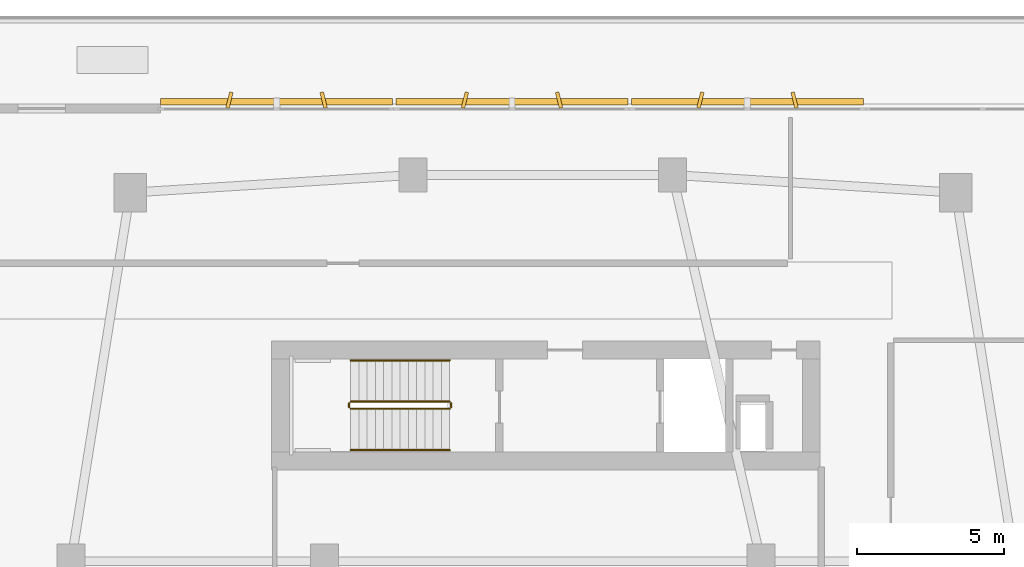
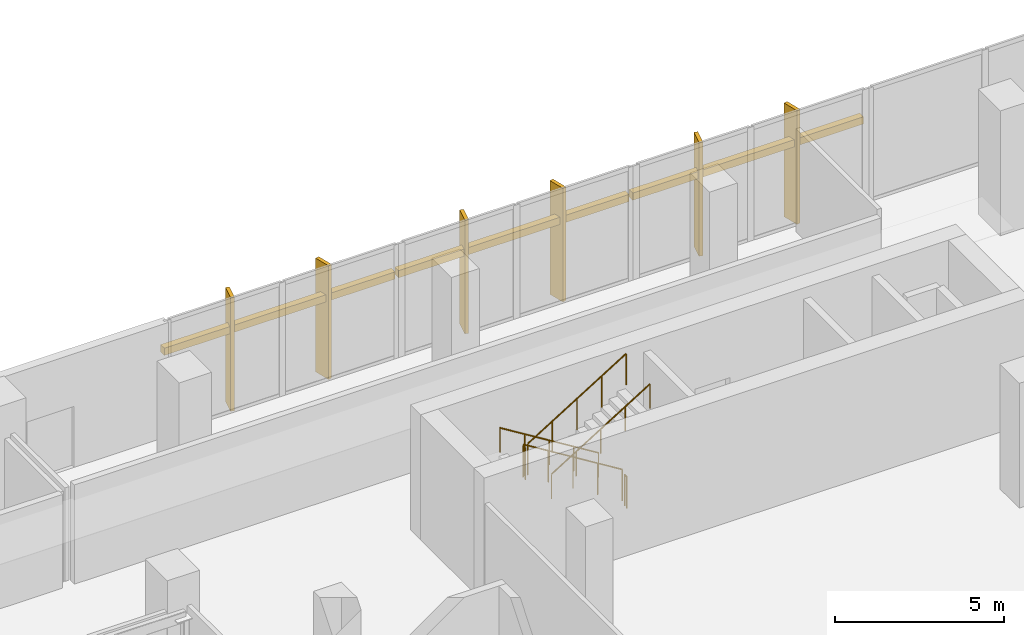
# One storey, part 30 of 31: 9 shading devices, 6 railings.
"""IFC4 building model written with IfcOpenShell, lengths in metres."""

from ifc_helpers import new_model, si_unit, derived_unit, direction, frame, origin, origin_2d, place, context, subcontext, project, spatial, rectangle, circle, extrude, material, type_object, element, save


model = new_model("IFC4")

# Units and contexts
model_context = context("Model", 3, precision=1e-05, world=origin(), true_north=direction((0.0, 1.0)))
body_context = subcontext(model_context, "Body", "Model", "MODEL_VIEW")
ifc_project = project(units=[si_unit("LENGTHUNIT", "METRE"), si_unit("AREAUNIT", "SQUARE_METRE"), si_unit("VOLUMEUNIT", "CUBIC_METRE"), si_unit("PLANEANGLEUNIT", "RADIAN"), si_unit("MASSUNIT", "GRAM", prefix="KILO"), derived_unit("THERMALTRANSMITTANCEUNIT", [(si_unit("POWERUNIT", "WATT"), 1), (si_unit("LENGTHUNIT", "METRE"), -2), (si_unit("THERMODYNAMICTEMPERATUREUNIT", "KELVIN"), -1)])], contexts=[model_context])

# Site, building, storey
site_placement = place(None, origin())
site = spatial("IfcSite", under=ifc_project, at=site_placement, CompositionType="ELEMENT")
building_placement = place(site_placement, origin())
building = spatial("IfcBuilding", under=site, at=building_placement, Name="Kivonza Crest Hotel", CompositionType="ELEMENT")
storey_placement = place(building_placement, frame((0.0, 0.0, 15.0)))
storey = spatial("IfcBuildingStorey", under=building, at=storey_placement, Name="L03", CompositionType="ELEMENT", Elevation=15.0)

# Railings
ifc_material_1 = material(Name="Brushed stainless steel handrail", Category="steel")
railing_type_1 = type_object("IfcRailingType", Name="RL-HAND-900", PredefinedType="HANDRAIL", material=ifc_material_1)
railing_1_placement = place(storey_placement, frame((73.840087890625, 35.31005859375, 0.173095703125)))
element("IfcRailing", 1, at=railing_1_placement, inside=storey, type_object=railing_type_1, Name="L03 ST-T2-N stair handrail 1", PredefinedType="HANDRAIL", context=body_context, shape_type="SweptSolid", body=[
    extrude(circle(Radius=0.02392578125, at=origin_2d()), frame((0.0, 0.0, 0.8759765625), z_axis=(-0.850623216509, 0.0, 0.525775754039), x_axis=(0.0, -1.0, 0.0)), (0.0, 0.0, 1.0), 3.9501953125),
    extrude(circle(Radius=0.02099609375, at=origin_2d()), origin(), (0.0, 0.0, 1.0), 0.851806640625),
    extrude(circle(Radius=0.02099609375, at=origin_2d()), frame((-0.840087890625, 0.0, 0.519287109375)), (0.0, 0.0, 1.0), 0.851806640625),
    extrude(circle(Radius=0.02099609375, at=origin_2d()), frame((-1.68017578125, 0.0, 1.03857421875)), (0.0, 0.0, 1.0), 0.851806640625),
    extrude(circle(Radius=0.02099609375, at=origin_2d()), frame((-2.52001953125, 0.0, 1.5576171875)), (0.0, 0.0, 1.0), 0.851806640625),
    extrude(circle(Radius=0.02099609375, at=origin_2d()), frame((-3.360107421875, 0.0, 2.076904296875)), (0.0, 0.0, 1.0), 0.851806640625),
])
railing_2_placement = place(storey_placement, frame((70.47998046875, 32.27001953125, 2.423095703125)))
element("IfcRailing", 2, at=railing_2_placement, inside=storey, type_object=railing_type_1, Name="L03 ST-T2-N stair handrail 2", PredefinedType="HANDRAIL", context=body_context, shape_type="SweptSolid", body=[
    extrude(circle(Radius=0.02392578125, at=origin_2d()), frame((0.0, 0.0, 0.8759765625), z_axis=(0.850623216509, 0.0, 0.525775754039), x_axis=(0.0, 1.0, 0.0)), (0.0, 0.0, 1.0), 3.9501953125),
    extrude(circle(Radius=0.02099609375, at=origin_2d()), origin(), (0.0, 0.0, 1.0), 0.851806640625),
    extrude(circle(Radius=0.02099609375, at=origin_2d()), frame((0.840087890625, 0.0, 0.519287109375)), (0.0, 0.0, 1.0), 0.851806640625),
    extrude(circle(Radius=0.02099609375, at=origin_2d()), frame((1.68017578125, 0.0, 1.03857421875)), (0.0, 0.0, 1.0), 0.851806640625),
    extrude(circle(Radius=0.02099609375, at=origin_2d()), frame((2.52001953125, 0.0, 1.5576171875)), (0.0, 0.0, 1.0), 0.851806640625),
    extrude(circle(Radius=0.02099609375, at=origin_2d()), frame((3.360107421875, 0.0, 2.076904296875)), (0.0, 0.0, 1.0), 0.851806640625),
])
ifc_material_2 = material(Name="Painted steel balustrade", Category="steel")
railing_type_2 = type_object("IfcRailingType", Name="RL-STAIR-1150", PredefinedType="BALUSTRADE", material=ifc_material_2)
railing_3_placement = place(storey_placement, frame((73.840087890625, 33.909912109375, 0.173095703125)))
element("IfcRailing", 3, at=railing_3_placement, inside=storey, type_object=railing_type_2, Name="L03 ST-T2-N stair guard 1", PredefinedType="BALUSTRADE", context=body_context, shape_type="SweptSolid", body=[
    extrude(circle(Radius=0.02392578125, at=origin_2d()), frame((0.0, 0.0, 1.1259765625), z_axis=(-0.850623216509, 0.0, 0.525775754039), x_axis=(0.0, -1.0, 0.0)), (0.0, 0.0, 1.0), 3.9501953125),
    extrude(circle(Radius=0.02099609375, at=origin_2d()), origin(), (0.0, 0.0, 1.0), 1.101806640625),
    extrude(circle(Radius=0.02099609375, at=origin_2d()), frame((-0.840087890625, 0.0, 0.519287109375)), (0.0, 0.0, 1.0), 1.101806640625),
    extrude(circle(Radius=0.02099609375, at=origin_2d()), frame((-1.68017578125, 0.0, 1.03857421875)), (0.0, 0.0, 1.0), 1.101806640625),
    extrude(circle(Radius=0.02099609375, at=origin_2d()), frame((-2.52001953125, 0.0, 1.5576171875)), (0.0, 0.0, 1.0), 1.101806640625),
    extrude(circle(Radius=0.02099609375, at=origin_2d()), frame((-3.360107421875, 0.0, 2.076904296875)), (0.0, 0.0, 1.0), 1.101806640625),
])
railing_4_placement = place(storey_placement, frame((70.429931640625, 33.860107421875, 2.25)))
element("IfcRailing", 4, at=railing_4_placement, inside=storey, type_object=railing_type_2, Name="L03 ST-T2-N stair guard 2", PredefinedType="BALUSTRADE", context=body_context, shape_type="SweptSolid", body=[
    extrude(circle(Radius=0.02392578125, at=origin_2d()), frame((0.0, 0.0, 1.1259765625), z_axis=(0.0, -1.0, 0.0), x_axis=(1.0, 0.0, 0.0)), (0.0, 0.0, 1.0), 0.14013671875),
    extrude(circle(Radius=0.02099609375, at=origin_2d()), origin(), (0.0, 0.0, 1.0), 1.101806640625),
    extrude(circle(Radius=0.02099609375, at=origin_2d()), frame((0.0, -0.14013671875, 0.0)), (0.0, 0.0, 1.0), 1.101806640625),
])
railing_5_placement = place(storey_placement, frame((70.47998046875, 33.669921875, 2.423095703125)))
element("IfcRailing", 5, at=railing_5_placement, inside=storey, type_object=railing_type_2, Name="L03 ST-T2-N stair guard 3", PredefinedType="BALUSTRADE", context=body_context, shape_type="SweptSolid", body=[
    extrude(circle(Radius=0.02392578125, at=origin_2d()), frame((0.0, 0.0, 1.1259765625), z_axis=(0.850623216509, 0.0, 0.525775754039), x_axis=(0.0, 1.0, 0.0)), (0.0, 0.0, 1.0), 3.9501953125),
    extrude(circle(Radius=0.02099609375, at=origin_2d()), origin(), (0.0, 0.0, 1.0), 1.101806640625),
    extrude(circle(Radius=0.02099609375, at=origin_2d()), frame((0.840087890625, 0.0, 0.519287109375)), (0.0, 0.0, 1.0), 1.101806640625),
    extrude(circle(Radius=0.02099609375, at=origin_2d()), frame((1.68017578125, 0.0, 1.03857421875)), (0.0, 0.0, 1.0), 1.101806640625),
    extrude(circle(Radius=0.02099609375, at=origin_2d()), frame((2.52001953125, 0.0, 1.5576171875)), (0.0, 0.0, 1.0), 1.101806640625),
    extrude(circle(Radius=0.02099609375, at=origin_2d()), frame((3.360107421875, 0.0, 2.076904296875)), (0.0, 0.0, 1.0), 1.101806640625),
])
railing_6_placement = place(storey_placement, frame((73.889892578125, 33.860107421875, 0.0)))
element("IfcRailing", 6, at=railing_6_placement, inside=storey, type_object=railing_type_2, Name="L03 ST-T2-N stair guard 4", PredefinedType="BALUSTRADE", context=body_context, shape_type="SweptSolid", body=[
    extrude(circle(Radius=0.02392578125, at=origin_2d()), frame((0.0, 0.0, 1.1259765625), z_axis=(0.0, -1.0, 0.0), x_axis=(1.0, 0.0, 0.0)), (0.0, 0.0, 1.0), 0.14013671875),
    extrude(circle(Radius=0.02099609375, at=origin_2d()), origin(), (0.0, 0.0, 1.0), 1.101806640625),
    extrude(circle(Radius=0.02099609375, at=origin_2d()), frame((0.0, -0.14013671875, 0.0)), (0.0, 0.0, 1.0), 1.101806640625),
])

# Shading devices
ifc_material_3 = material(Name="Kiln-fired Nairobi red-ochre terracotta", Category="masonry")
shading_device_type_1 = type_object("IfcShadingDeviceType", Name="SH-BAGUETTE-300", PredefinedType="USERDEFINED", material=ifc_material_3)
shading_device_placement = place(storey_placement, frame((83.93994140625, 44.080078125, 2.740234375), z_axis=(0.0, 0.0, 1.0), x_axis=(-1.0, 0.0, 0.0)))
element("IfcShadingDevice", 7, at=shading_device_placement, inside=storey, type_object=shading_device_type_1, Name="L03 terracotta baguette screen CW-POD-L03-19", ObjectType="BAGUETTE", PredefinedType="USERDEFINED", context=body_context, shape_type="SweptSolid", body=[
    extrude(rectangle(XDim=7.865966796875, YDim=0.219970703125, at=origin_2d()), origin(), (0.0, 0.0, 1.0), 0.260009765625),
])
for number, where, z_axis, x_axis, name in (
    (8, (75.952880859375, 44.080078125, 2.740234375), (0.0, 0.0, 1.0), (-1.0, 0.0, 0.0), "L03 terracotta baguette screen CW-POD-L03-20"),
    (9, (67.966064453125, 44.080078125, 2.740234375), (0.0, 0.0, 1.0), (-1.0, 0.0, 0.0), "L03 terracotta baguette screen CW-POD-L03-21"),
):
    element("IfcShadingDevice", number, at=place(storey_placement, frame(where, z_axis=z_axis, x_axis=x_axis)), inside=storey, type_object=shading_device_type_1, Name=name, ObjectType="BAGUETTE", PredefinedType="USERDEFINED", context=body_context, shape_type="SweptSolid", body=[
        extrude(rectangle(XDim=7.866943359375, YDim=0.219970703125, at=origin_2d()), origin(), (0.0, 0.0, 1.0), 0.260009765625),
    ])
ifc_material_4 = material(Name="Kiln-fired terracotta over extruded aluminium spine", Category="masonry")
shading_device_type_2 = type_object("IfcShadingDeviceType", Name="SH-FIN-550", PredefinedType="USERDEFINED", material=ifc_material_4)
for number, where, z_axis, x_axis, name in (
    (10, (85.537109375, 44.139892578125, 0.0), (0.0, 0.0, 1.0), (-0.970295726276, -0.2419218956, 0.0), "L03 vertical solar shading fin CW-POD-L03-19-1"),
    (11, (82.343017578125, 44.139892578125, 0.0), (0.0, 0.0, 1.0), (-0.970295726276, 0.2419218956, 0.0), "L03 vertical solar shading fin CW-POD-L03-19-2"),
    (12, (77.551025390625, 44.139892578125, 0.0), (0.0, 0.0, 1.0), (-0.970295726276, -0.2419218956, 0.0), "L03 vertical solar shading fin CW-POD-L03-20-1"),
    (13, (74.35595703125, 44.139892578125, 0.0), (0.0, 0.0, 1.0), (-0.970295726276, 0.2419218956, 0.0), "L03 vertical solar shading fin CW-POD-L03-20-2"),
    (14, (69.56396484375, 44.139892578125, 0.0), (0.0, 0.0, 1.0), (-0.970295726276, -0.2419218956, 0.0), "L03 vertical solar shading fin CW-POD-L03-21-1"),
    (15, (66.368896484375, 44.139892578125, 0.0), (0.0, 0.0, 1.0), (-0.970295726276, 0.2419218956, 0.0), "L03 vertical solar shading fin CW-POD-L03-21-2"),
):
    element("IfcShadingDevice", number, at=place(storey_placement, frame(where, z_axis=z_axis, x_axis=x_axis)), inside=storey, type_object=shading_device_type_2, Name=name, ObjectType="FIN", PredefinedType="USERDEFINED", context=body_context, shape_type="SweptSolid", body=[
        extrude(rectangle(XDim=0.1201171875, YDim=0.550048828125, at=origin_2d()), origin(), (0.0, 0.0, 1.0), 4.10009765625),
    ])

save(model, "model.ifc")
